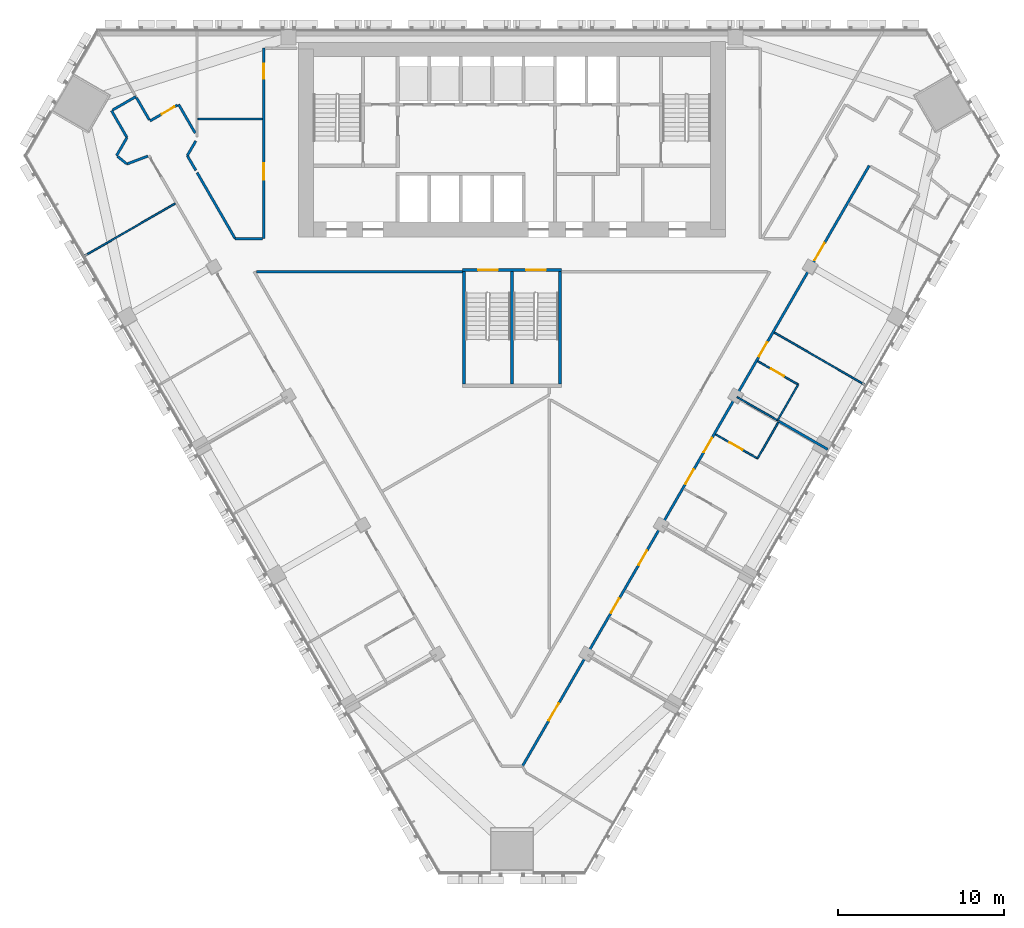
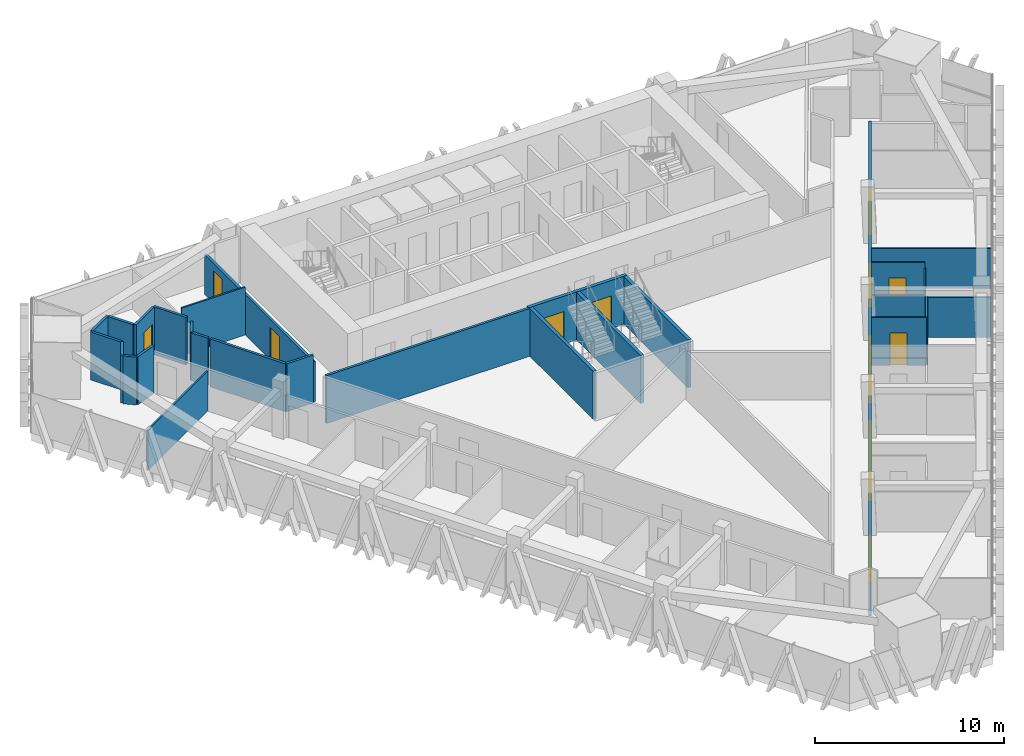
# One storey, part 10 of 16: 28 walls, 14 doors, 14 openings.
"""IFC4 building model written with IfcOpenShell, lengths in metres."""

from ifc_helpers import new_model, si_unit, direction, frame, frame_2d, origin, place, context, subcontext, project, spatial, rectangle, extrude, material, layer, layer_set, type_object, element, fill, save


model = new_model("IFC4")

# Units and contexts
model_context = context("Model", 3, precision=1e-05, world=origin(), true_north=direction((0.0, 1.0)))
body_context = subcontext(model_context, "Body", "Model", "MODEL_VIEW")
ifc_project = project(units=[si_unit("LENGTHUNIT", "METRE"), si_unit("AREAUNIT", "SQUARE_METRE"), si_unit("VOLUMEUNIT", "CUBIC_METRE"), si_unit("PLANEANGLEUNIT", "RADIAN"), si_unit("MASSUNIT", "GRAM", prefix="KILO")], contexts=[model_context])

# Site, building, storey
site_placement = place(None, origin())
site = spatial("IfcSite", under=ifc_project, at=site_placement, CompositionType="ELEMENT")
building_placement = place(site_placement, origin())
building = spatial("IfcBuilding", under=site, at=building_placement, Name="Altiplano Prism Tower", CompositionType="ELEMENT")
storey_placement = place(building_placement, frame((0.0, 0.0, 84.60009765625)))
storey = spatial("IfcBuildingStorey", under=building, at=storey_placement, Name="L21", CompositionType="ELEMENT", Elevation=84.60009765625)

# Wall
ifc_material_1 = material(Name="Plasterboard on steel stud", Category="steel")
ifc_layer_1 = layer(ifc_material_1, 0.10009765625)
ifc_layer_set_1 = layer_set([ifc_layer_1], Name="Plasterboard on steel stud")
wall_type_1 = type_object("IfcWallType", Name="Partition 100 unit", PredefinedType="PARTITIONING", material=ifc_layer_set_1)
wall_1_placement = place(storey_placement, frame((101.088134765625, 81.298828125, 0.0), z_axis=(0.0, 0.0, 1.0), x_axis=(-0.50001820224, -0.866014894461, 0.0)))
element("IfcWall", 1, at=wall_1_placement, inside=storey, type_object=wall_type_1, Name="Partition P02 L21 067", PredefinedType="PARTITIONING", context=body_context, shape_type="SweptSolid", body=[
    extrude(rectangle(XDim=2.52490234375, YDim=0.10009765625, at=frame_2d((1.262451171875, 0.0))), origin(), (0.0, 0.0, 1.0), 2.699951171875),
])

# Wall, opening, door
wall_2_placement = place(storey_placement, frame((99.82568359375, 79.1123046875, 0.0), z_axis=(0.0, 0.0, 1.0), x_axis=(-0.866046596414, 0.499963291492, 0.0)))
wall_2 = element("IfcWall", 2, at=wall_2_placement, inside=storey, type_object=wall_type_1, Name="Partition P02 L21 068", PredefinedType="PARTITIONING", context=body_context, shape_type="SweptSolid", body=[
    extrude(rectangle(XDim=2.925048828125, YDim=0.10009765625, at=frame_2d((1.46240234375, 0.0))), origin(), (0.0, 0.0, 1.0), 3.099853515625),
])
opening_1_placement = place(wall_2_placement, frame((1.050048828125, 0.0, 0.0)))
opening_1 = element("IfcOpeningElement", 3, at=opening_1_placement, cuts=wall_2, Name="Opening D0804", PredefinedType="OPENING", context=body_context, shape_type="SweptSolid", body=[
    extrude(rectangle(XDim=0.89990234375, YDim=2.10009765625, at=frame_2d((0.449951171875, 1.050048828125))), frame((0.0, 0.060546875, 0.0), z_axis=(0.0, -1.0, 0.0), x_axis=(1.0, 0.0, 0.0)), (0.0, 0.0, 1.0), 0.12109375),
])
ifc_material_2 = material(Name="Timber", Category="wood")
door_type_1 = type_object("IfcDoorType", Name="Ensuite door 900 x 2100", OperationType="NOTDEFINED", PredefinedType="NOTDEFINED", material=ifc_material_2)
door_1_placement = place(opening_1_placement, origin())
door_1 = element("IfcDoor", 4, at=door_1_placement, inside=storey, type_object=door_type_1, Name="Door D0804", OperationType="SINGLE_SWING_LEFT", OverallHeight=2.10009765625, OverallWidth=0.89990234375, PredefinedType="NOTDEFINED", context=body_context, shape_type="SweptSolid", body=[
    extrude(rectangle(XDim=0.89990234375, YDim=2.10009765625, at=frame_2d((0.449951171875, 1.050048828125))), frame((0.0, 0.02490234375, 0.0), z_axis=(0.0, -1.0, 0.0), x_axis=(1.0, 0.0, 0.0)), (0.0, 0.0, 1.0), 0.050048828125),
])
fill(opening_1, door_1)

wall_3_placement = place(storey_placement, frame((99.842529296875, 84.991455078125, 0.0), z_axis=(0.0, 0.0, 1.0), x_axis=(0.866011447264, -0.500024172624, 0.0)))
wall_3 = element("IfcWall", 5, at=wall_3_placement, inside=storey, type_object=wall_type_1, Name="Partition P02 L21 071", PredefinedType="PARTITIONING", context=body_context, shape_type="SweptSolid", body=[
    extrude(rectangle(XDim=2.824951171875, YDim=0.10009765625, at=frame_2d((1.41259765625, 0.0))), origin(), (0.0, 0.0, 1.0), 3.099853515625),
])
opening_2_placement = place(wall_3_placement, frame((0.925048828125, 0.0, 0.0)))
opening_2 = element("IfcOpeningElement", 6, at=opening_2_placement, cuts=wall_3, Name="Opening D0806", PredefinedType="OPENING", context=body_context, shape_type="SweptSolid", body=[
    extrude(rectangle(XDim=0.89990234375, YDim=2.10009765625, at=frame_2d((0.449951171875, 1.050048828125))), frame((0.0, 0.060546875, 0.0), z_axis=(0.0, -1.0, 0.0), x_axis=(1.0, 0.0, 0.0)), (0.0, 0.0, 1.0), 0.12109375),
])
door_2_placement = place(opening_2_placement, origin())
door_2 = element("IfcDoor", 7, at=door_2_placement, inside=storey, type_object=door_type_1, Name="Door D0806", OperationType="SINGLE_SWING_LEFT", OverallHeight=2.10009765625, OverallWidth=0.89990234375, PredefinedType="NOTDEFINED", context=body_context, shape_type="SweptSolid", body=[
    extrude(rectangle(XDim=0.89990234375, YDim=2.10009765625, at=frame_2d((0.449951171875, 1.050048828125))), frame((0.0, 0.02490234375, 0.0), z_axis=(0.0, -1.0, 0.0), x_axis=(1.0, 0.0, 0.0)), (0.0, 0.0, 1.0), 0.050048828125),
])
fill(opening_2, door_2)

# Walls
wall_4_placement = place(storey_placement, frame((102.2890625, 83.578857421875, 0.0), z_axis=(0.0, 0.0, 1.0), x_axis=(-0.500004234368, -0.866022959057, 0.0)))
element("IfcWall", 8, at=wall_4_placement, inside=storey, type_object=wall_type_1, Name="Partition P02 L21 072", PredefinedType="PARTITIONING", context=body_context, shape_type="SweptSolid", body=[
    extrude(rectangle(XDim=2.5, YDim=0.10009765625, at=frame_2d((1.25, 0.0))), origin(), (0.0, 0.0, 1.0), 2.699951171875),
])
ifc_layer_2 = layer(ifc_material_1, 0.10009765625)
ifc_layer_set_2 = layer_set([ifc_layer_2], Name="Plasterboard on steel stud")
wall_type_2 = type_object("IfcWallType", Name="Partition 100 wet", PredefinedType="PARTITIONING", material=ifc_layer_set_2)
wall_5_placement = place(storey_placement, frame((66.027587890625, 99.6201171875, 0.0), z_axis=(0.0, 0.0, 1.0), x_axis=(1.0, 0.0, 0.0)))
element("IfcWall", 9, at=wall_5_placement, inside=storey, type_object=wall_type_2, Name="Partition P03 L21 044", PredefinedType="PARTITIONING", context=body_context, shape_type="SweptSolid", body=[
    extrude(rectangle(XDim=3.8974609375, YDim=0.10009765625, at=frame_2d((1.94873046875, 0.0))), origin(), (0.0, 0.0, 1.0), 3.099853515625),
])
wall_6_placement = place(storey_placement, frame((59.162353515625, 91.344970703125, 0.0), z_axis=(0.0, 0.0, 1.0), x_axis=(0.866025401434, 0.500000004071, 0.0)))
element("IfcWall", 10, at=wall_6_placement, inside=storey, type_object=wall_type_2, Name="Partition P03 L21 045", PredefinedType="PARTITIONING", context=body_context, shape_type="SweptSolid", body=[
    extrude(rectangle(XDim=6.34521484375, YDim=0.10009765625, at=frame_2d((3.172607421875, 0.0))), origin(), (0.0, 0.0, 1.0), 2.599853515625),
])
wall_7_placement = place(storey_placement, frame((101.0390625, 81.413818359375, 0.0), z_axis=(0.0, 0.0, 1.0), x_axis=(-0.866011447264, 0.500024172624, 0.0)))
element("IfcWall", 11, at=wall_7_placement, inside=storey, type_object=wall_type_2, Name="Partition P03 L21 070", PredefinedType="PARTITIONING", context=body_context, shape_type="SweptSolid", body=[
    extrude(rectangle(XDim=2.824951171875, YDim=0.10009765625, at=frame_2d((1.41259765625, 0.0))), origin(), (0.0, 0.0, 1.0), 2.699951171875),
])
wall_8_placement = place(storey_placement, frame((106.337646484375, 83.55078125, 0.0), z_axis=(0.0, 0.0, 1.0), x_axis=(-0.866025401434, 0.500000004071, 0.0)))
element("IfcWall", 12, at=wall_8_placement, inside=storey, type_object=wall_type_2, Name="Partition P03 L21 073", PredefinedType="PARTITIONING", context=body_context, shape_type="SweptSolid", body=[
    extrude(rectangle(XDim=6.34521484375, YDim=0.10009765625, at=frame_2d((3.172607421875, 0.0))), origin(), (0.0, 0.0, 1.0), 2.599853515625),
])
ifc_layer_3 = layer(ifc_material_1, 0.14990234375)
ifc_layer_set_3 = layer_set([ifc_layer_3], Name="Plasterboard on steel stud")
wall_type_3 = type_object("IfcWallType", Name="Partition 150 corridor", PredefinedType="PARTITIONING", material=ifc_layer_set_3)
wall_9_placement = place(storey_placement, frame((65.862548828125, 98.769775390625, 0.0), z_axis=(0.0, 0.0, 1.0), x_axis=(-0.500395644178, 0.86579685798, 0.0)))
element("IfcWall", 13, at=wall_9_placement, inside=storey, type_object=wall_type_3, Name="Partition P06 L21 001", PredefinedType="PARTITIONING", context=body_context, shape_type="SweptSolid", body=[
    extrude(rectangle(XDim=1.99853515625, YDim=0.14990234375, at=frame_2d((0.999267578125, 0.0))), origin(), (0.0, 0.0, 1.0), 3.099853515625),
])

# Wall, opening, door
wall_10_placement = place(storey_placement, frame((64.797607421875, 100.46240234375, 0.0), z_axis=(0.0, 0.0, 1.0), x_axis=(-0.866033512162, -0.499985955615, 0.0)))
wall_10 = element("IfcWall", 14, at=wall_10_placement, inside=storey, type_object=wall_type_3, Name="Partition P06 L21 002", PredefinedType="PARTITIONING", context=body_context, shape_type="SweptSolid", body=[
    extrude(rectangle(XDim=1.9248046875, YDim=0.14990234375, at=frame_2d((0.96240234375, 0.0))), origin(), (0.0, 0.0, 1.0), 3.099853515625),
])
opening_3_placement = place(wall_10_placement, frame((0.199951171875, 0.0, 0.0)))
opening_3 = element("IfcOpeningElement", 15, at=opening_3_placement, cuts=wall_10, Name="Opening D0785", PredefinedType="OPENING", context=body_context, shape_type="SweptSolid", body=[
    extrude(rectangle(XDim=0.89990234375, YDim=2.10009765625, at=frame_2d((0.449951171875, 1.050048828125))), frame((0.0, 0.08544921875, 0.0), z_axis=(0.0, -1.0, 0.0), x_axis=(1.0, 0.0, 0.0)), (0.0, 0.0, 1.0), 0.1708984375),
])
door_type_2 = type_object("IfcDoorType", Name="Toilet door 900 x 2100", OperationType="NOTDEFINED", PredefinedType="NOTDEFINED", material=ifc_material_2)
door_3_placement = place(opening_3_placement, origin())
door_3 = element("IfcDoor", 16, at=door_3_placement, inside=storey, type_object=door_type_2, Name="Door D0785", OperationType="SINGLE_SWING_RIGHT", OverallHeight=2.10009765625, OverallWidth=0.89990234375, PredefinedType="NOTDEFINED", context=body_context, shape_type="SweptSolid", body=[
    extrude(rectangle(XDim=0.89990234375, YDim=2.10009765625, at=frame_2d((0.449951171875, 1.050048828125))), frame((0.0, 0.02490234375, 0.0), z_axis=(0.0, -1.0, 0.0), x_axis=(1.0, 0.0, 0.0)), (0.0, 0.0, 1.0), 0.050048828125),
])
fill(opening_3, door_3)

# Walls
wall_11_placement = place(storey_placement, frame((63.093017578125, 99.56494140625, 0.0), z_axis=(0.0, 0.0, 1.0), x_axis=(-0.499967891604, 0.866043940782, 0.0)))
element("IfcWall", 17, at=wall_11_placement, inside=storey, type_object=wall_type_3, Name="Partition P06 L21 003", PredefinedType="PARTITIONING", context=body_context, shape_type="SweptSolid", body=[
    extrude(rectangle(XDim=1.5498046875, YDim=0.14990234375, at=frame_2d((0.77490234375, 0.0))), origin(), (0.0, 0.0, 1.0), 3.099853515625),
])
wall_12_placement = place(storey_placement, frame((65.9052734375, 96.513671875, 0.0), z_axis=(0.0, 0.0, 1.0), x_axis=(-0.503047702621, 0.864258646985, 0.0)))
element("IfcWall", 18, at=wall_12_placement, inside=storey, type_object=wall_type_3, Name="Partition P06 L21 006", PredefinedType="PARTITIONING", context=body_context, shape_type="SweptSolid", body=[
    extrude(rectangle(XDim=1.03271484375, YDim=0.14990234375, at=frame_2d((0.516357421875, 0.0))), origin(), (0.0, 0.0, 1.0), 3.099853515625),
])
wall_13_placement = place(storey_placement, frame((65.3857421875, 97.40625, 0.0), z_axis=(0.0, 0.0, 1.0), x_axis=(0.502549947678, 0.864548176846, 0.0)))
element("IfcWall", 19, at=wall_13_placement, inside=storey, type_object=wall_type_3, Name="Partition P06 L21 007", PredefinedType="PARTITIONING", context=body_context, shape_type="SweptSolid", body=[
    extrude(rectangle(XDim=1.023193359375, YDim=0.14990234375, at=frame_2d((0.51171875, 0.0))), origin(), (0.0, 0.0, 1.0), 3.099853515625),
])

# Wall, openings, doors
wall_14_placement = place(storey_placement, frame((70.0, 103.89990234375, 0.0), z_axis=(0.0, 0.0, 1.0), x_axis=(0.0, -1.0, 0.0)))
wall_14 = element("IfcWall", 20, at=wall_14_placement, inside=storey, type_object=wall_type_3, Name="Partition P06 L21 008", PredefinedType="PARTITIONING", context=body_context, shape_type="SweptSolid", body=[
    extrude(rectangle(XDim=11.5, YDim=0.14990234375, at=frame_2d((5.75, 0.0))), origin(), (0.0, 0.0, 1.0), 2.599853515625),
])
opening_4_placement = place(wall_14_placement, frame((0.94189453125, 0.0, 0.0)))
opening_4 = element("IfcOpeningElement", 21, at=opening_4_placement, cuts=wall_14, Name="Opening D0786", PredefinedType="OPENING", context=body_context, shape_type="SweptSolid", body=[
    extrude(rectangle(XDim=0.89990234375, YDim=2.10009765625, at=frame_2d((0.449951171875, 1.050048828125))), frame((0.0, 0.08544921875, 0.0), z_axis=(0.0, -1.0, 0.0), x_axis=(1.0, 0.0, 0.0)), (0.0, 0.0, 1.0), 0.1708984375),
])
opening_5_placement = place(wall_14_placement, frame((6.93994140625, 0.0, 0.0)))
opening_5 = element("IfcOpeningElement", 22, at=opening_5_placement, cuts=wall_14, Name="Opening D0787", PredefinedType="OPENING", context=body_context, shape_type="SweptSolid", body=[
    extrude(rectangle(XDim=1.0, YDim=2.10009765625, at=frame_2d((0.5, 1.050048828125))), frame((0.0, 0.08544921875, 0.0), z_axis=(0.0, -1.0, 0.0), x_axis=(1.0, 0.0, 0.0)), (0.0, 0.0, 1.0), 0.1708984375),
])
door_type_3 = type_object("IfcDoorType", Name="Store door 1000 x 2100", OperationType="NOTDEFINED", PredefinedType="NOTDEFINED", material=ifc_material_2)
door_4_placement = place(opening_5_placement, origin())
door_4 = element("IfcDoor", 23, at=door_4_placement, inside=storey, type_object=door_type_3, Name="Door D0787", OperationType="SINGLE_SWING_RIGHT", OverallHeight=2.10009765625, OverallWidth=1.0, PredefinedType="NOTDEFINED", context=body_context, shape_type="SweptSolid", body=[
    extrude(rectangle(XDim=1.0, YDim=2.10009765625, at=frame_2d((0.5, 1.050048828125))), frame((0.0, 0.02490234375, 0.0), z_axis=(0.0, -1.0, 0.0), x_axis=(1.0, 0.0, 0.0)), (0.0, 0.0, 1.0), 0.050048828125),
])
fill(opening_5, door_4)
door_5_placement = place(opening_4_placement, origin())
door_5 = element("IfcDoor", 24, at=door_5_placement, inside=storey, type_object=door_type_2, Name="Door D0786", OperationType="SINGLE_SWING_LEFT", OverallHeight=2.10009765625, OverallWidth=0.89990234375, PredefinedType="NOTDEFINED", context=body_context, shape_type="SweptSolid", body=[
    extrude(rectangle(XDim=0.89990234375, YDim=2.10009765625, at=frame_2d((0.449951171875, 1.050048828125))), frame((0.0, 0.02490234375, 0.0), z_axis=(0.0, -1.0, 0.0), x_axis=(1.0, 0.0, 0.0)), (0.0, 0.0, 1.0), 0.050048828125),
])
fill(opening_4, door_5)

# Walls
wall_15_placement = place(storey_placement, frame((69.925048828125, 92.39990234375, 0.0), z_axis=(0.0, 0.0, 1.0), x_axis=(-1.0, 0.0, 0.0)))
element("IfcWall", 25, at=wall_15_placement, inside=storey, type_object=wall_type_3, Name="Partition P06 L21 009", PredefinedType="PARTITIONING", context=body_context, shape_type="SweptSolid", body=[
    extrude(rectangle(XDim=1.64892578125, YDim=0.14990234375, at=frame_2d((0.824462890625, 0.0))), origin(), (0.0, 0.0, 1.0), 3.099853515625),
])
wall_16_placement = place(storey_placement, frame((68.276123046875, 92.39990234375, 0.0), z_axis=(0.0, 0.0, 1.0), x_axis=(-0.499799045343, 0.866141393927, 0.0)))
element("IfcWall", 26, at=wall_16_placement, inside=storey, type_object=wall_type_3, Name="Partition P06 L21 010", PredefinedType="PARTITIONING", context=body_context, shape_type="SweptSolid", body=[
    extrude(rectangle(XDim=4.59912109375, YDim=0.14990234375, at=frame_2d((2.299560546875, 0.0))), origin(), (0.0, 0.0, 1.0), 3.099853515625),
])
wall_17_placement = place(storey_placement, frame((62.280517578125, 100.97216796875, 0.0), z_axis=(0.0, 0.0, 1.0), x_axis=(-0.866015446554, -0.500017246033, 0.0)))
element("IfcWall", 27, at=wall_17_placement, inside=storey, type_object=wall_type_3, Name="Partition P06 L21 011", PredefinedType="PARTITIONING", context=body_context, shape_type="SweptSolid", body=[
    extrude(rectangle(XDim=1.625, YDim=0.14990234375, at=frame_2d((0.8125, 0.0))), origin(), (0.0, 0.0, 1.0), 3.099853515625),
])
wall_18_placement = place(storey_placement, frame((60.808349609375, 100.122314453125, 0.0), z_axis=(0.0, 0.0, 1.0), x_axis=(0.499951854219, -0.86605319898, 0.0)))
element("IfcWall", 28, at=wall_18_placement, inside=storey, type_object=wall_type_3, Name="Partition P06 L21 012", PredefinedType="PARTITIONING", context=body_context, shape_type="SweptSolid", body=[
    extrude(rectangle(XDim=1.873291015625, YDim=0.14990234375, at=frame_2d((0.9365234375, 0.0))), origin(), (0.0, 0.0, 1.0), 3.099853515625),
])
wall_19_placement = place(storey_placement, frame((61.744873046875, 98.5, 0.0), z_axis=(0.0, 0.0, 1.0), x_axis=(-0.500068251969, -0.865985994906, 0.0)))
element("IfcWall", 29, at=wall_19_placement, inside=storey, type_object=wall_type_3, Name="Partition P06 L21 013", PredefinedType="PARTITIONING", context=body_context, shape_type="SweptSolid", body=[
    extrude(rectangle(XDim=1.262939453125, YDim=0.14990234375, at=frame_2d((0.63134765625, 0.0))), origin(), (0.0, 0.0, 1.0), 3.099853515625),
])
wall_20_placement = place(storey_placement, frame((61.171142578125, 97.35986328125, 0.0), z_axis=(0.0, 0.0, 1.0), x_axis=(0.779663082216, -0.626199232058, 0.0)))
element("IfcWall", 30, at=wall_20_placement, inside=storey, type_object=wall_type_3, Name="Partition P06 L21 014", PredefinedType="PARTITIONING", context=body_context, shape_type="SweptSolid", body=[
    extrude(rectangle(XDim=0.731689453125, YDim=0.14990234375, at=frame_2d((0.36572265625, 0.0))), origin(), (0.0, 0.0, 1.0), 3.099853515625),
])
wall_21_placement = place(storey_placement, frame((61.74169921875, 96.901611328125, 0.0), z_axis=(0.0, 0.0, 1.0), x_axis=(0.935354044678, 0.353712893608, 0.0)))
element("IfcWall", 31, at=wall_21_placement, inside=storey, type_object=wall_type_3, Name="Partition P06 L21 015", PredefinedType="PARTITIONING", context=body_context, shape_type="SweptSolid", body=[
    extrude(rectangle(XDim=1.352783203125, YDim=0.14990234375, at=frame_2d((0.67626953125, 0.0))), origin(), (0.0, 0.0, 1.0), 3.099853515625),
])

# Wall, openings, doors
wall_22_placement = place(storey_placement, frame((85.63134765625, 60.527099609375, 0.0), z_axis=(0.0, 0.0, 1.0), x_axis=(0.500002601959, 0.866023901537, 0.0)))
wall_22 = element("IfcWall", 32, at=wall_22_placement, inside=storey, type_object=wall_type_3, Name="Partition P06 L21 018", PredefinedType="PARTITIONING", context=body_context, shape_type="SweptSolid", body=[
    extrude(rectangle(XDim=41.892333984375, YDim=0.14990234375, at=frame_2d((20.9462890625, 0.0))), origin(), (0.0, 0.0, 1.0), 2.699951171875),
])
opening_6_placement = place(wall_22_placement, frame((3.18408203125, 0.0, 0.0)))
opening_6 = element("IfcOpeningElement", 33, at=opening_6_placement, cuts=wall_22, Name="Opening D0797", PredefinedType="OPENING", context=body_context, shape_type="SweptSolid", body=[
    extrude(rectangle(XDim=1.199951171875, YDim=2.10009765625, at=frame_2d((0.60009765625, 1.050048828125))), frame((0.0, 0.08544921875, 0.0), z_axis=(0.0, -1.0, 0.0), x_axis=(1.0, 0.0, 0.0)), (0.0, 0.0, 1.0), 0.1708984375),
])
opening_7_placement = place(wall_22_placement, frame((10.68798828125, 0.0, 0.0)))
opening_7 = element("IfcOpeningElement", 34, at=opening_7_placement, cuts=wall_22, Name="Opening D0798", PredefinedType="OPENING", context=body_context, shape_type="SweptSolid", body=[
    extrude(rectangle(XDim=1.0, YDim=2.10009765625, at=frame_2d((0.5, 1.050048828125))), frame((0.0, 0.08544921875, 0.0), z_axis=(0.0, -1.0, 0.0), x_axis=(1.0, 0.0, 0.0)), (0.0, 0.0, 1.0), 0.1708984375),
])
opening_8_placement = place(wall_22_placement, frame((14.0419921875, 0.0, 0.0)))
opening_8 = element("IfcOpeningElement", 35, at=opening_8_placement, cuts=wall_22, Name="Opening D0800", PredefinedType="OPENING", context=body_context, shape_type="SweptSolid", body=[
    extrude(rectangle(XDim=1.0, YDim=2.10009765625, at=frame_2d((0.5, 1.050048828125))), frame((0.0, 0.08544921875, 0.0), z_axis=(0.0, -1.0, 0.0), x_axis=(1.0, 0.0, 0.0)), (0.0, 0.0, 1.0), 0.1708984375),
])
opening_9_placement = place(wall_22_placement, frame((19.68798828125, 0.0, 0.0)))
opening_9 = element("IfcOpeningElement", 36, at=opening_9_placement, cuts=wall_22, Name="Opening D0801", PredefinedType="OPENING", context=body_context, shape_type="SweptSolid", body=[
    extrude(rectangle(XDim=1.0, YDim=2.10009765625, at=frame_2d((0.5, 1.050048828125))), frame((0.0, 0.08544921875, 0.0), z_axis=(0.0, -1.0, 0.0), x_axis=(1.0, 0.0, 0.0)), (0.0, 0.0, 1.0), 0.1708984375),
])
opening_10_placement = place(wall_22_placement, frame((21.89697265625, 0.0, 0.0)))
opening_10 = element("IfcOpeningElement", 37, at=opening_10_placement, cuts=wall_22, Name="Opening D0803", PredefinedType="OPENING", context=body_context, shape_type="SweptSolid", body=[
    extrude(rectangle(XDim=1.0, YDim=2.10009765625, at=frame_2d((0.5, 1.050048828125))), frame((0.0, 0.08544921875, 0.0), z_axis=(0.0, -1.0, 0.0), x_axis=(1.0, 0.0, 0.0)), (0.0, 0.0, 1.0), 0.1708984375),
])
opening_11_placement = place(wall_22_placement, frame((28.572021484375, 0.0, 0.0)))
opening_11 = element("IfcOpeningElement", 38, at=opening_11_placement, cuts=wall_22, Name="Opening D0805", PredefinedType="OPENING", context=body_context, shape_type="SweptSolid", body=[
    extrude(rectangle(XDim=1.0, YDim=2.10009765625, at=frame_2d((0.5, 1.050048828125))), frame((0.0, 0.08544921875, 0.0), z_axis=(0.0, -1.0, 0.0), x_axis=(1.0, 0.0, 0.0)), (0.0, 0.0, 1.0), 0.1708984375),
])
opening_12_placement = place(wall_22_placement, frame((35.2919921875, 0.0, 0.0)))
opening_12 = element("IfcOpeningElement", 39, at=opening_12_placement, cuts=wall_22, Name="Opening D0807", PredefinedType="OPENING", context=body_context, shape_type="SweptSolid", body=[
    extrude(rectangle(XDim=1.199951171875, YDim=2.10009765625, at=frame_2d((0.60009765625, 1.050048828125))), frame((0.0, 0.08544921875, 0.0), z_axis=(0.0, -1.0, 0.0), x_axis=(1.0, 0.0, 0.0)), (0.0, 0.0, 1.0), 0.1708984375),
])
door_type_4 = type_object("IfcDoorType", Name="Bedroom entrance door 1000 x 2100", OperationType="NOTDEFINED", PredefinedType="NOTDEFINED", material=ifc_material_2)
door_6_placement = place(opening_7_placement, origin())
door_6 = element("IfcDoor", 40, at=door_6_placement, inside=storey, type_object=door_type_4, Name="Door D0798", OperationType="SINGLE_SWING_RIGHT", OverallHeight=2.10009765625, OverallWidth=1.0, PredefinedType="NOTDEFINED", context=body_context, shape_type="SweptSolid", body=[
    extrude(rectangle(XDim=1.0, YDim=2.10009765625, at=frame_2d((0.5, 1.050048828125))), frame((0.0, 0.02490234375, 0.0), z_axis=(0.0, -1.0, 0.0), x_axis=(1.0, 0.0, 0.0)), (0.0, 0.0, 1.0), 0.050048828125),
])
fill(opening_7, door_6)
door_7_placement = place(opening_9_placement, origin())
door_7 = element("IfcDoor", 41, at=door_7_placement, inside=storey, type_object=door_type_4, Name="Door D0801", OperationType="SINGLE_SWING_LEFT", OverallHeight=2.10009765625, OverallWidth=1.0, PredefinedType="NOTDEFINED", context=body_context, shape_type="SweptSolid", body=[
    extrude(rectangle(XDim=1.0, YDim=2.10009765625, at=frame_2d((0.5, 1.050048828125))), frame((0.0, 0.02490234375, 0.0), z_axis=(0.0, -1.0, 0.0), x_axis=(1.0, 0.0, 0.0)), (0.0, 0.0, 1.0), 0.050048828125),
])
fill(opening_9, door_7)
door_8_placement = place(opening_10_placement, origin())
door_8 = element("IfcDoor", 42, at=door_8_placement, inside=storey, type_object=door_type_4, Name="Door D0803", OperationType="SINGLE_SWING_LEFT", OverallHeight=2.10009765625, OverallWidth=1.0, PredefinedType="NOTDEFINED", context=body_context, shape_type="SweptSolid", body=[
    extrude(rectangle(XDim=1.0, YDim=2.10009765625, at=frame_2d((0.5, 1.050048828125))), frame((0.0, 0.02490234375, 0.0), z_axis=(0.0, -1.0, 0.0), x_axis=(1.0, 0.0, 0.0)), (0.0, 0.0, 1.0), 0.050048828125),
])
fill(opening_10, door_8)
door_9_placement = place(opening_11_placement, origin())
door_9 = element("IfcDoor", 43, at=door_9_placement, inside=storey, type_object=door_type_4, Name="Door D0805", OperationType="SINGLE_SWING_LEFT", OverallHeight=2.10009765625, OverallWidth=1.0, PredefinedType="NOTDEFINED", context=body_context, shape_type="SweptSolid", body=[
    extrude(rectangle(XDim=1.0, YDim=2.10009765625, at=frame_2d((0.5, 1.050048828125))), frame((0.0, 0.02490234375, 0.0), z_axis=(0.0, -1.0, 0.0), x_axis=(1.0, 0.0, 0.0)), (0.0, 0.0, 1.0), 0.050048828125),
])
fill(opening_11, door_9)
door_type_5 = type_object("IfcDoorType", Name="Room door 1000 x 2100", OperationType="NOTDEFINED", PredefinedType="NOTDEFINED", material=ifc_material_2)
door_10_placement = place(opening_8_placement, origin())
door_10 = element("IfcDoor", 44, at=door_10_placement, inside=storey, type_object=door_type_5, Name="Door D0800", OperationType="SINGLE_SWING_LEFT", OverallHeight=2.10009765625, OverallWidth=1.0, PredefinedType="NOTDEFINED", context=body_context, shape_type="SweptSolid", body=[
    extrude(rectangle(XDim=1.0, YDim=2.10009765625, at=frame_2d((0.5, 1.050048828125))), frame((0.0, 0.02490234375, 0.0), z_axis=(0.0, -1.0, 0.0), x_axis=(1.0, 0.0, 0.0)), (0.0, 0.0, 1.0), 0.050048828125),
])
fill(opening_8, door_10)
door_type_6 = type_object("IfcDoorType", Name="Shared room door 1200 x 2100", OperationType="NOTDEFINED", PredefinedType="NOTDEFINED", material=ifc_material_2)
door_11_placement = place(opening_6_placement, origin())
door_11 = element("IfcDoor", 45, at=door_11_placement, inside=storey, type_object=door_type_6, Name="Door D0797", OperationType="SINGLE_SWING_RIGHT", OverallHeight=2.10009765625, OverallWidth=1.199951171875, PredefinedType="NOTDEFINED", context=body_context, shape_type="SweptSolid", body=[
    extrude(rectangle(XDim=1.199951171875, YDim=2.10009765625, at=frame_2d((0.60009765625, 1.050048828125))), frame((0.0, 0.02490234375, 0.0), z_axis=(0.0, -1.0, 0.0), x_axis=(1.0, 0.0, 0.0)), (0.0, 0.0, 1.0), 0.050048828125),
])
fill(opening_6, door_11)
door_12_placement = place(opening_12_placement, origin())
door_12 = element("IfcDoor", 46, at=door_12_placement, inside=storey, type_object=door_type_6, Name="Door D0807", OperationType="SINGLE_SWING_RIGHT", OverallHeight=2.10009765625, OverallWidth=1.199951171875, PredefinedType="NOTDEFINED", context=body_context, shape_type="SweptSolid", body=[
    extrude(rectangle(XDim=1.199951171875, YDim=2.10009765625, at=frame_2d((0.60009765625, 1.050048828125))), frame((0.0, 0.02490234375, 0.0), z_axis=(0.0, -1.0, 0.0), x_axis=(1.0, 0.0, 0.0)), (0.0, 0.0, 1.0), 0.050048828125),
])
fill(opening_12, door_12)

# Walls
wall_23_placement = place(storey_placement, frame((69.560791015625, 90.39990234375, 0.0), z_axis=(0.0, 0.0, 1.0), x_axis=(1.0, 0.0, 0.0)))
element("IfcWall", 47, at=wall_23_placement, inside=storey, type_object=wall_type_3, Name="Partition P06 L21 035", PredefinedType="PARTITIONING", context=body_context, shape_type="SweptSolid", body=[
    extrude(rectangle(XDim=12.439208984375, YDim=0.14990234375, at=frame_2d((6.2197265625, 0.0))), origin(), (0.0, 0.0, 1.0), 3.099853515625),
])
ifc_layer_4 = layer(ifc_material_1, 0.14990234375)
ifc_layer_set_4 = layer_set([ifc_layer_4], Name="Plasterboard on steel stud")
wall_type_4 = type_object("IfcWallType", Name="Partition 150 party", PredefinedType="PARTITIONING", material=ifc_layer_set_4)
wall_24_placement = place(storey_placement, frame((104.070068359375, 79.663818359375, 0.0), z_axis=(0.0, 0.0, 1.0), x_axis=(-0.866020337685, 0.500008774639, 0.0)))
element("IfcWall", 48, at=wall_24_placement, inside=storey, type_object=wall_type_4, Name="Partition P01 L21 069", PredefinedType="PARTITIONING", context=body_context, shape_type="SweptSolid", body=[
    extrude(rectangle(XDim=3.419921875, YDim=0.14990234375, at=frame_2d((1.7099609375, 0.0))), origin(), (0.0, 0.0, 1.0), 2.599853515625),
])

# Wall, openings, doors
ifc_material_3 = material(Name="Concrete C60/75", Category="concrete")
ifc_layer_5 = layer(ifc_material_3, 0.199951171875)
ifc_layer_set_5 = layer_set([ifc_layer_5], Name="Concrete C60/75")
wall_type_5 = type_object("IfcWallType", Name="Stair wall 200", PredefinedType="SOLIDWALL", material=ifc_layer_set_5)
wall_25_placement = place(storey_placement, frame((82.0, 90.5, 0.0), z_axis=(0.0, 0.0, 1.0), x_axis=(1.0, 0.0, 0.0)))
wall_25 = element("IfcWall", 49, at=wall_25_placement, inside=storey, type_object=wall_type_5, Name="Stair 3 wall north L21", PredefinedType="SOLIDWALL", context=body_context, shape_type="SweptSolid", body=[
    extrude(rectangle(XDim=6.0, YDim=0.199951171875, at=frame_2d((3.0, 0.0))), origin(), (0.0, 0.0, 1.0), 3.099853515625),
])
opening_13_placement = place(wall_25_placement, frame((0.949951171875, 0.0, 0.0)))
opening_13 = element("IfcOpeningElement", 50, at=opening_13_placement, cuts=wall_25, Name="Opening D3964", PredefinedType="OPENING", context=body_context, shape_type="SweptSolid", body=[
    extrude(rectangle(XDim=1.199951171875, YDim=2.10009765625, at=frame_2d((0.60009765625, 1.050048828125))), frame((0.0, 0.1103515625, 0.0), z_axis=(0.0, -1.0, 0.0), x_axis=(1.0, 0.0, 0.0)), (0.0, 0.0, 1.0), 0.220947265625),
])
opening_14_placement = place(wall_25_placement, frame((3.85009765625, 0.0, 0.0)))
opening_14 = element("IfcOpeningElement", 51, at=opening_14_placement, cuts=wall_25, Name="Opening D3965", PredefinedType="OPENING", context=body_context, shape_type="SweptSolid", body=[
    extrude(rectangle(XDim=1.199951171875, YDim=2.10009765625, at=frame_2d((0.60009765625, 1.050048828125))), frame((0.0, 0.1103515625, 0.0), z_axis=(0.0, -1.0, 0.0), x_axis=(1.0, 0.0, 0.0)), (0.0, 0.0, 1.0), 0.220947265625),
])
ifc_material_4 = material(Name="Fire-rated steel door", Category="steel")
door_type_7 = type_object("IfcDoorType", Name="Stair fire door 1200 x 2100", OperationType="NOTDEFINED", PredefinedType="NOTDEFINED", material=ifc_material_4)
door_13_placement = place(opening_13_placement, origin())
door_13 = element("IfcDoor", 52, at=door_13_placement, inside=storey, type_object=door_type_7, Name="Stair fire door D3964", OperationType="SINGLE_SWING_LEFT", OverallHeight=2.10009765625, OverallWidth=1.199951171875, PredefinedType="NOTDEFINED", context=body_context, shape_type="SweptSolid", body=[
    extrude(rectangle(XDim=1.199951171875, YDim=2.10009765625, at=frame_2d((0.60009765625, 1.050048828125))), frame((0.0, 0.02490234375, 0.0), z_axis=(0.0, -1.0, 0.0), x_axis=(1.0, 0.0, 0.0)), (0.0, 0.0, 1.0), 0.050048828125),
])
fill(opening_13, door_13)
door_14_placement = place(opening_14_placement, origin())
door_14 = element("IfcDoor", 53, at=door_14_placement, inside=storey, type_object=door_type_7, Name="Stair fire door D3965", OperationType="SINGLE_SWING_LEFT", OverallHeight=2.10009765625, OverallWidth=1.199951171875, PredefinedType="NOTDEFINED", context=body_context, shape_type="SweptSolid", body=[
    extrude(rectangle(XDim=1.199951171875, YDim=2.10009765625, at=frame_2d((0.60009765625, 1.050048828125))), frame((0.0, 0.02490234375, 0.0), z_axis=(0.0, -1.0, 0.0), x_axis=(1.0, 0.0, 0.0)), (0.0, 0.0, 1.0), 0.050048828125),
])
fill(opening_14, door_14)

# Walls
for number, where, z_axis, x_axis, name in (
    (54, (82.10009765625, 83.60009765625, 0.0), (0.0, 0.0, 1.0), (0.0, 1.0, 0.0), "Stair 3 wall west L21"),
    (55, (87.89990234375, 83.60009765625, 0.0), (0.0, 0.0, 1.0), (0.0, 1.0, 0.0), "Stair 3 wall east L21"),
    (56, (85.0, 83.60009765625, 0.0), (0.0, 0.0, 1.0), (0.0, 1.0, 0.0), "Stair 3 wall divider L21"),
):
    element("IfcWall", number, at=place(storey_placement, frame(where, z_axis=z_axis, x_axis=x_axis)), inside=storey, type_object=wall_type_5, Name=name, PredefinedType="SOLIDWALL", context=body_context, shape_type="SweptSolid", body=[
        extrude(rectangle(XDim=6.7998046875, YDim=0.199951171875, at=frame_2d((3.39990234375, 0.0))), origin(), (0.0, 0.0, 1.0), 3.099853515625),
    ])

save(model, "model.ifc")
